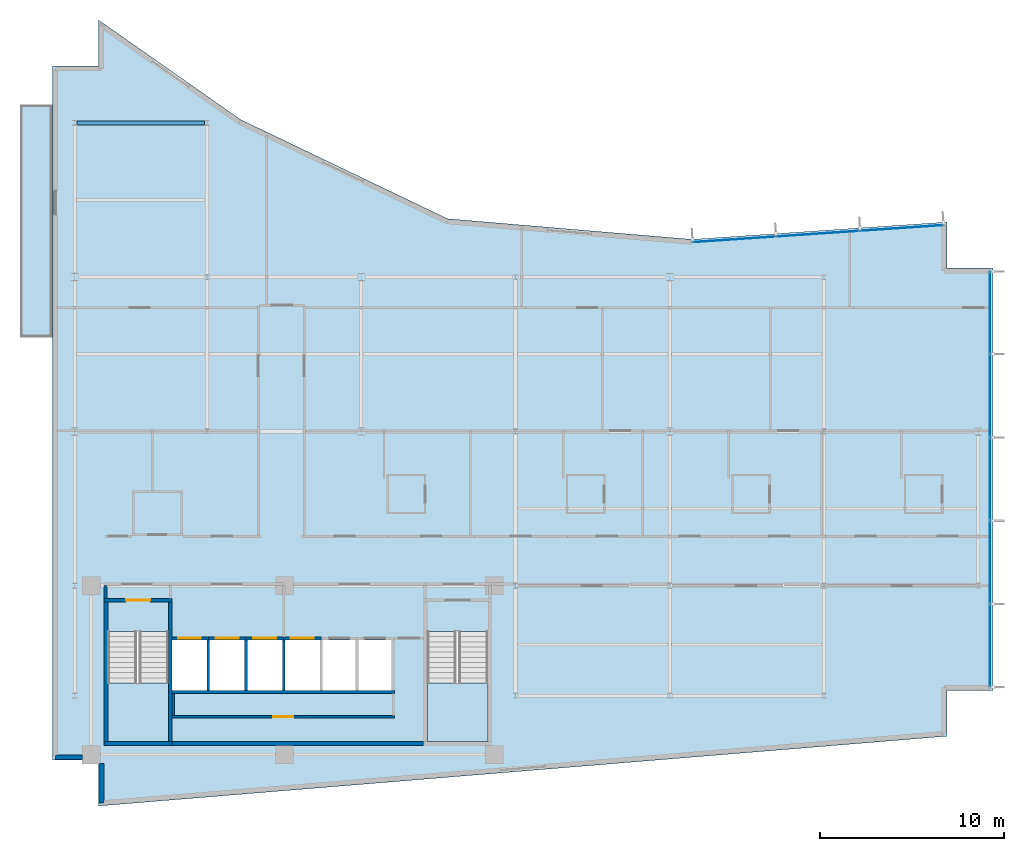
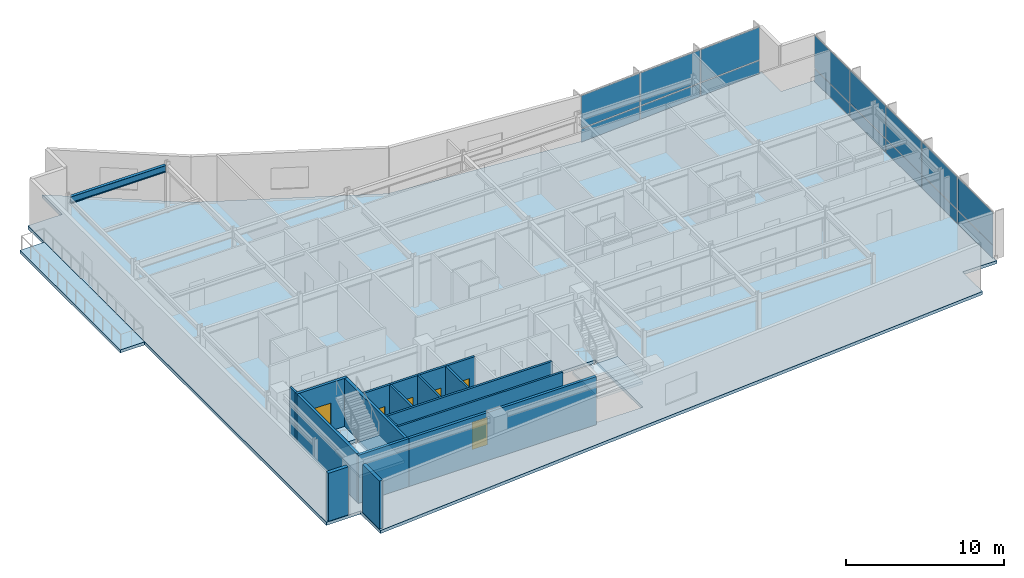
# One storey, part 10 of 17: 18 walls, 16 plates, 6 doors, 4 slabs, 1 beam, 6 openings, 4 elements without a shape of their own.
"""IFC4 building model written with IfcOpenShell, lengths in metres."""

from ifc_helpers import new_model, si_unit, direction, frame, frame_2d, origin, origin_2d, place, context, subcontext, project, spatial, polyline, rectangle, i_section, outline, extrude, material, layer, layer_set, material_profile, profile_set, type_object, element, fill, aggregate, save


model = new_model("IFC4")

# Units and contexts
model_context = context("Model", 3, precision=1e-05, world=origin(), true_north=direction((0.0, 1.0)))
body_context = subcontext(model_context, "Body", "Model", "MODEL_VIEW")
ifc_project = project(units=[si_unit("LENGTHUNIT", "METRE"), si_unit("AREAUNIT", "SQUARE_METRE"), si_unit("VOLUMEUNIT", "CUBIC_METRE"), si_unit("PLANEANGLEUNIT", "RADIAN"), si_unit("MASSUNIT", "GRAM", prefix="KILO")], contexts=[model_context])

# Site, building, storey
site_placement = place(None, origin())
site = spatial("IfcSite", under=ifc_project, at=site_placement, CompositionType="ELEMENT")
building_placement = place(site_placement, origin())
building = spatial("IfcBuilding", under=site, at=building_placement, Name="Varnakote Quay Hospital", CompositionType="ELEMENT")
storey_placement = place(building_placement, frame((0.0, 0.0, 203.949951171875)))
storey = spatial("IfcBuildingStorey", under=building, at=storey_placement, Name="L50", CompositionType="ELEMENT", Elevation=203.949951171875)

# Beam
ifc_material_1 = material(Name="Structural steel AS/NZS 3679.1 Grade 350 L0 (fy 340 MPa)", Category="steel")
ifc_material_profile = material_profile(ifc_material_1, i_section(OverallWidth=0.208984375, OverallDepth=0.532958984375, WebThickness=0.01025390625, FlangeThickness=0.015625, FilletRadius=0.013916015625, at=origin_2d()), Name="530UB92.4")
ifc_profile_set = profile_set([ifc_material_profile], Name="Structural steel AS/NZS 3679.1 Grade 350 L0 (fy 340 MPa)")
beam_type = type_object("IfcBeamType", Name="BM-STL-530UB92-4", PredefinedType="BEAM", material=ifc_profile_set)
beam_placement = place(storey_placement, frame((1.327880859375, 37.199951171875, 3.443603515625), z_axis=(1.0, 0.0, 0.0), x_axis=(0.0, 1.0, 0.0)))
element("IfcBeam", 1, at=beam_placement, inside=storey, type_object=beam_type, Name="L50 Primary Floor Beam", PredefinedType="BEAM", context=body_context, shape_type="SweptSolid", body=[
    extrude(i_section(OverallWidth=0.208984375, OverallDepth=0.532958984375, WebThickness=0.01025390625, FlangeThickness=0.015625, FilletRadius=0.013916015625, at=origin_2d()), origin(), (0.0, 0.0, 1.0), 6.944091796875),
])

# Curtain wall, plates
ifc_material_2 = material(Name="Anodised aluminium 6063-T6 Bronze", Category="aluminium")
ifc_layer_1 = layer(ifc_material_2, 0.219970703125)
ifc_layer_set_1 = layer_set([ifc_layer_1], Name="Anodised aluminium 6063-T6 Bronze")
curtain_wall_type = type_object("IfcCurtainWallType", Name="CW-SYS-4", PredefinedType="NOTDEFINED", material=ifc_layer_set_1)
curtain_wall_1_placement = place(storey_placement, origin())
curtain_wall_1 = element("IfcCurtainWall", 2, at=curtain_wall_1_placement, inside=storey, type_object=curtain_wall_type, Name="L50 Unitised Bronze Curtain Wall 1", PredefinedType="NOTDEFINED")
ifc_material_3 = material(Name="Double-glazed low-E solar glass", Category="glass")
ifc_layer_2 = layer(ifc_material_3, 0.028076171875)
ifc_layer_set_2 = layer_set([ifc_layer_2], Name="Double-glazed low-E solar glass")
plate_type = type_object("IfcPlateType", Name="CW-PNL-GLZ-28", PredefinedType="CURTAIN_PANEL", material=ifc_layer_set_2)
plate_1_placement = place(storey_placement, frame((51.0400390625, 8.744140625, 0.065185546875), z_axis=(0.0, 0.0, 1.0), x_axis=(0.0, 1.0, 0.0)))
plate_1 = element("IfcPlate", 3, at=plate_1_placement, type_object=plate_type, Name="-4-L50-1 panel 1.1", PredefinedType="CURTAIN_PANEL", context=body_context, shape_type="SweptSolid", body=[
    extrude(rectangle(XDim=4.4384765625, YDim=0.028076171875, at=origin_2d()), origin(), (0.0, 0.0, 1.0), 1.00244140625),
])
plate_2_placement = place(storey_placement, frame((51.0400390625, 8.744140625, 1.1328125), z_axis=(0.0, 0.0, 1.0), x_axis=(0.0, 1.0, 0.0)))
plate_2 = element("IfcPlate", 4, at=plate_2_placement, type_object=plate_type, Name="-4-L50-1 panel 1.2", PredefinedType="CURTAIN_PANEL", context=body_context, shape_type="SweptSolid", body=[
    extrude(rectangle(XDim=4.4384765625, YDim=0.028076171875, at=origin_2d()), origin(), (0.0, 0.0, 1.0), 2.512451171875),
])
plate_3_placement = place(storey_placement, frame((51.0400390625, 13.263916015625, 0.065185546875), z_axis=(0.0, 0.0, 1.0), x_axis=(0.0, 1.0, 0.0)))
plate_3 = element("IfcPlate", 5, at=plate_3_placement, type_object=plate_type, Name="-4-L50-1 panel 2.1", PredefinedType="CURTAIN_PANEL", context=body_context, shape_type="SweptSolid", body=[
    extrude(rectangle(XDim=4.470947265625, YDim=0.028076171875, at=origin_2d()), origin(), (0.0, 0.0, 1.0), 1.00244140625),
])
plate_4_placement = place(storey_placement, frame((51.0400390625, 13.263916015625, 1.1328125), z_axis=(0.0, 0.0, 1.0), x_axis=(0.0, 1.0, 0.0)))
plate_4 = element("IfcPlate", 6, at=plate_4_placement, type_object=plate_type, Name="-4-L50-1 panel 2.2", PredefinedType="CURTAIN_PANEL", context=body_context, shape_type="SweptSolid", body=[
    extrude(rectangle(XDim=4.470947265625, YDim=0.028076171875, at=origin_2d()), origin(), (0.0, 0.0, 1.0), 2.512451171875),
])
plate_5_placement = place(storey_placement, frame((51.0400390625, 17.800048828125, 0.065185546875), z_axis=(0.0, 0.0, 1.0), x_axis=(0.0, 1.0, 0.0)))
plate_5 = element("IfcPlate", 7, at=plate_5_placement, type_object=plate_type, Name="-4-L50-1 panel 3.1", PredefinedType="CURTAIN_PANEL", context=body_context, shape_type="SweptSolid", body=[
    extrude(rectangle(XDim=4.470947265625, YDim=0.028076171875, at=origin_2d()), origin(), (0.0, 0.0, 1.0), 1.00244140625),
])
plate_6_placement = place(storey_placement, frame((51.0400390625, 17.800048828125, 1.1328125), z_axis=(0.0, 0.0, 1.0), x_axis=(0.0, 1.0, 0.0)))
plate_6 = element("IfcPlate", 8, at=plate_6_placement, type_object=plate_type, Name="-4-L50-1 panel 3.2", PredefinedType="CURTAIN_PANEL", context=body_context, shape_type="SweptSolid", body=[
    extrude(rectangle(XDim=4.470947265625, YDim=0.028076171875, at=origin_2d()), origin(), (0.0, 0.0, 1.0), 2.512451171875),
])
plate_7_placement = place(storey_placement, frame((51.0400390625, 22.3359375, 0.065185546875), z_axis=(0.0, 0.0, 1.0), x_axis=(0.0, 1.0, 0.0)))
plate_7 = element("IfcPlate", 9, at=plate_7_placement, type_object=plate_type, Name="-4-L50-1 panel 4.1", PredefinedType="CURTAIN_PANEL", context=body_context, shape_type="SweptSolid", body=[
    extrude(rectangle(XDim=4.470947265625, YDim=0.028076171875, at=origin_2d()), origin(), (0.0, 0.0, 1.0), 1.00244140625),
])
plate_8_placement = place(storey_placement, frame((51.0400390625, 22.3359375, 1.1328125), z_axis=(0.0, 0.0, 1.0), x_axis=(0.0, 1.0, 0.0)))
plate_8 = element("IfcPlate", 10, at=plate_8_placement, type_object=plate_type, Name="-4-L50-1 panel 4.2", PredefinedType="CURTAIN_PANEL", context=body_context, shape_type="SweptSolid", body=[
    extrude(rectangle(XDim=4.470947265625, YDim=0.028076171875, at=origin_2d()), origin(), (0.0, 0.0, 1.0), 2.512451171875),
])
plate_9_placement = place(storey_placement, frame((51.0400390625, 26.855712890625, 0.065185546875), z_axis=(0.0, 0.0, 1.0), x_axis=(0.0, 1.0, 0.0)))
plate_9 = element("IfcPlate", 11, at=plate_9_placement, type_object=plate_type, Name="-4-L50-1 panel 5.1", PredefinedType="CURTAIN_PANEL", context=body_context, shape_type="SweptSolid", body=[
    extrude(rectangle(XDim=4.4384765625, YDim=0.028076171875, at=origin_2d()), origin(), (0.0, 0.0, 1.0), 1.00244140625),
])
plate_10_placement = place(storey_placement, frame((51.0400390625, 26.855712890625, 1.1328125), z_axis=(0.0, 0.0, 1.0), x_axis=(0.0, 1.0, 0.0)))
plate_10 = element("IfcPlate", 12, at=plate_10_placement, type_object=plate_type, Name="-4-L50-1 panel 5.2", PredefinedType="CURTAIN_PANEL", context=body_context, shape_type="SweptSolid", body=[
    extrude(rectangle(XDim=4.4384765625, YDim=0.028076171875, at=origin_2d()), origin(), (0.0, 0.0, 1.0), 2.512451171875),
])
aggregate(curtain_wall_1, [plate_1, plate_2, plate_3, plate_4, plate_5, plate_6, plate_7, plate_8, plate_9, plate_10])

curtain_wall_2_placement = place(storey_placement, origin())
curtain_wall_2 = element("IfcCurtainWall", 13, at=curtain_wall_2_placement, inside=storey, type_object=curtain_wall_type, Name="L50 Unitised Bronze Curtain Wall 2", PredefinedType="NOTDEFINED")
plate_11_placement = place(storey_placement, frame((46.236328125, 31.47216796875, 0.065185546875), z_axis=(0.0, 0.0, 1.0), x_axis=(-0.997696087615, -0.067841851077, 0.0)))
plate_11 = element("IfcPlate", 14, at=plate_11_placement, type_object=plate_type, Name="-4-L50-2 panel 1.1", PredefinedType="CURTAIN_PANEL", context=body_context, shape_type="SweptSolid", body=[
    extrude(rectangle(XDim=4.48828125, YDim=0.028076171875, at=origin_2d()), origin(), (0.0, 0.0, 1.0), 1.00244140625),
])
plate_12_placement = place(storey_placement, frame((46.236328125, 31.47216796875, 1.1328125), z_axis=(0.0, 0.0, 1.0), x_axis=(-0.997696087615, -0.067841851077, 0.0)))
plate_12 = element("IfcPlate", 15, at=plate_12_placement, type_object=plate_type, Name="-4-L50-2 panel 1.2", PredefinedType="CURTAIN_PANEL", context=body_context, shape_type="SweptSolid", body=[
    extrude(rectangle(XDim=4.48828125, YDim=0.028076171875, at=origin_2d()), origin(), (0.0, 0.0, 1.0), 2.512451171875),
])
plate_13_placement = place(storey_placement, frame((41.67724609375, 31.162109375, 0.065185546875), z_axis=(0.0, 0.0, 1.0), x_axis=(-0.997696087615, -0.067841851077, 0.0)))
plate_13 = element("IfcPlate", 16, at=plate_13_placement, type_object=plate_type, Name="-4-L50-2 panel 2.1", PredefinedType="CURTAIN_PANEL", context=body_context, shape_type="SweptSolid", body=[
    extrude(rectangle(XDim=4.520751953125, YDim=0.028076171875, at=origin_2d()), origin(), (0.0, 0.0, 1.0), 1.00244140625),
])
plate_14_placement = place(storey_placement, frame((41.67724609375, 31.162109375, 1.1328125), z_axis=(0.0, 0.0, 1.0), x_axis=(-0.997696087615, -0.067841851077, 0.0)))
plate_14 = element("IfcPlate", 17, at=plate_14_placement, type_object=plate_type, Name="-4-L50-2 panel 2.2", PredefinedType="CURTAIN_PANEL", context=body_context, shape_type="SweptSolid", body=[
    extrude(rectangle(XDim=4.520751953125, YDim=0.028076171875, at=origin_2d()), origin(), (0.0, 0.0, 1.0), 2.512451171875),
])
plate_15_placement = place(storey_placement, frame((37.118408203125, 30.85205078125, 0.065185546875), z_axis=(0.0, 0.0, 1.0), x_axis=(-0.997696087615, -0.067841851077, 0.0)))
plate_15 = element("IfcPlate", 18, at=plate_15_placement, type_object=plate_type, Name="-4-L50-2 panel 3.1", PredefinedType="CURTAIN_PANEL", context=body_context, shape_type="SweptSolid", body=[
    extrude(rectangle(XDim=4.48828125, YDim=0.028076171875, at=origin_2d()), origin(), (0.0, 0.0, 1.0), 1.00244140625),
])
plate_16_placement = place(storey_placement, frame((37.118408203125, 30.85205078125, 1.1328125), z_axis=(0.0, 0.0, 1.0), x_axis=(-0.997696087615, -0.067841851077, 0.0)))
plate_16 = element("IfcPlate", 19, at=plate_16_placement, type_object=plate_type, Name="-4-L50-2 panel 3.2", PredefinedType="CURTAIN_PANEL", context=body_context, shape_type="SweptSolid", body=[
    extrude(rectangle(XDim=4.48828125, YDim=0.028076171875, at=origin_2d()), origin(), (0.0, 0.0, 1.0), 2.512451171875),
])
aggregate(curtain_wall_2, [plate_11, plate_12, plate_13, plate_14, plate_15, plate_16])

# Stair, slab
ifc_material_4 = material(Name="Concrete N40 (f'c 40 MPa)", Category="concrete")
stair_type = type_object("IfcStairType", Name="STR-CORE-1580", PredefinedType="HALF_TURN_STAIR", material=ifc_material_4)
stair_1_placement = place(storey_placement, origin())
stair_1 = element("IfcStair", 20, at=stair_1_placement, inside=storey, type_object=stair_type, Name="L50 Fire-Isolated Exit Stair ST-01", PredefinedType="HALF_TURN_STAIR")
ifc_material_5 = material(Name="Concrete N40 (f'c 40 MPa)", Category="concrete")
ifc_layer_3 = layer(ifc_material_5, 0.199951171875)
ifc_layer_set_3 = layer_set([ifc_layer_3], Name="Concrete N40 (f'c 40 MPa)")
slab_type_1 = type_object("IfcSlabType", Name="SLB-STAIR-LND-200", PredefinedType="LANDING", material=ifc_layer_set_3)
slab_1_placement = place(storey_placement, frame((0.0, 0.0, 1.775146484375)))
slab_1 = element("IfcSlab", 21, at=slab_1_placement, type_object=slab_type_1, Name="ST-01 landing 1", PredefinedType="LANDING", context=body_context, shape_type="SweptSolid", body=[
    extrude(outline(polyline([(3.0, 6.699951171875), (3.0, 3.5), (6.300048828125, 3.5), (6.300048828125, 6.699951171875), (3.0, 6.699951171875)])), origin(), (0.0, 0.0, 1.0), 0.199951171875),
])
aggregate(stair_1, [slab_1])

stair_2_placement = place(storey_placement, origin())
stair_2 = element("IfcStair", 22, at=stair_2_placement, inside=storey, type_object=stair_type, Name="L50 Fire-Isolated Exit Stair ST-02", PredefinedType="HALF_TURN_STAIR")
slab_2_placement = place(storey_placement, frame((0.0, 0.0, 1.775146484375)))
slab_2 = element("IfcSlab", 23, at=slab_2_placement, type_object=slab_type_1, Name="ST-02 landing 1", PredefinedType="LANDING", context=body_context, shape_type="SweptSolid", body=[
    extrude(outline(polyline([(20.39990234375, 6.699951171875), (20.39990234375, 3.5), (23.699951171875, 3.5), (23.699951171875, 6.699951171875), (20.39990234375, 6.699951171875)])), origin(), (0.0, 0.0, 1.0), 0.199951171875),
])
aggregate(stair_2, [slab_2])

# Slabs
ifc_material_6 = material(Name="Concrete N50 (f'c 50 MPa)", Category="concrete")
ifc_layer_4 = layer(ifc_material_6, 0.239990234375)
ifc_layer_set_4 = layer_set([ifc_layer_4], Name="Concrete N50 (f'c 50 MPa)")
slab_type_2 = type_object("IfcSlabType", Name="SLB-TERR-200", PredefinedType="FLOOR", material=ifc_layer_set_4)
slab_3_placement = place(storey_placement, frame((0.0, 0.0, -0.239990234375)))
element("IfcSlab", 24, at=slab_3_placement, inside=storey, type_object=slab_type_2, Name="L50 Waterfront Healing Terrace Slab", PredefinedType="FLOOR", context=body_context, shape_type="SweptSolid", body=[
    extrude(outline(polyline([(0.00390625, 25.5), (0.00390625, 38.199951171875), (-1.780029296875, 38.199951171875), (-1.780029296875, 25.5), (0.00390625, 25.5)])), origin(), (0.0, 0.0, 1.0), 0.239990234375),
])
ifc_material_7 = material(Name="Concrete N50 (f'c 50 MPa)", Category="concrete")
ifc_layer_5 = layer(ifc_material_7, 0.239990234375)
ifc_layer_set_5 = layer_set([ifc_layer_5], Name="Concrete N50 (f'c 50 MPa)")
slab_type_3 = type_object("IfcSlabType", Name="SLB-WARD-200", PredefinedType="FLOOR", material=ifc_layer_set_5)
slab_4_placement = place(storey_placement, frame((0.0, 0.0, -0.239990234375)))
element("IfcSlab", 25, at=slab_4_placement, inside=storey, type_object=slab_type_3, Name="L50 Primary Floor Slab", PredefinedType="FLOOR", context=body_context, shape_type="SweptSolid", body=[
    extrude(outline(polyline([(0.0, 2.5), (2.5, 2.5), (2.5, 0.0), (48.699951171875, 3.800048828125), (48.699951171875, 6.300048828125), (51.199951171875, 6.300048828125), (51.199951171875, 29.300048828125), (48.699951171875, 29.300048828125), (48.699951171875, 31.800048828125), (34.81591796875, 30.85595703125), (21.50390625, 31.97998046875), (10.239990234375, 37.3759765625), (2.5, 42.800048828125), (2.5, 40.300048828125), (0.0, 40.300048828125), (0.0, 2.5)]), holes=[polyline([(3.0, 3.5), (6.300048828125, 3.5), (6.300048828125, 9.49951171875), (3.0, 9.49951171875), (3.0, 3.5)]), polyline([(20.39990234375, 3.5), (23.699951171875, 3.5), (23.699951171875, 9.49951171875), (20.39990234375, 9.49951171875), (20.39990234375, 3.5)]), polyline([(6.5, 6.300048828125), (8.39990234375, 6.300048828125), (8.39990234375, 9.050048828125), (6.5, 9.050048828125), (6.5, 6.300048828125)]), polyline([(8.550048828125, 6.300048828125), (10.449951171875, 6.300048828125), (10.449951171875, 9.050048828125), (8.550048828125, 9.050048828125), (8.550048828125, 6.300048828125)]), polyline([(10.60009765625, 6.300048828125), (12.5, 6.300048828125), (12.5, 9.050048828125), (10.60009765625, 9.050048828125), (10.60009765625, 6.300048828125)]), polyline([(12.64990234375, 6.300048828125), (14.550048828125, 6.300048828125), (14.550048828125, 9.050048828125), (12.64990234375, 9.050048828125), (12.64990234375, 6.300048828125)]), polyline([(14.699951171875, 6.300048828125), (16.5, 6.300048828125), (16.5, 9.050048828125), (14.699951171875, 9.050048828125), (14.699951171875, 6.300048828125)]), polyline([(16.64990234375, 6.300048828125), (18.449951171875, 6.300048828125), (18.449951171875, 9.050048828125), (16.64990234375, 9.050048828125), (16.64990234375, 6.300048828125)])]), origin(), (0.0, 0.0, 1.0), 0.239990234375),
])

# Walls
ifc_material_8 = material(Name="Fire-rated acoustic gypsum stud wall", Category="gypsum")
ifc_layer_6 = layer(ifc_material_8, 0.159912109375)
ifc_layer_set_6 = layer_set([ifc_layer_6], Name="Fire-rated acoustic gypsum stud wall")
wall_type_1 = type_object("IfcWallType", Name="WL-COMP-160", PredefinedType="PARTITIONING", material=ifc_layer_set_6)
wall_1_placement = place(storey_placement, frame((2.8798828125, 11.300048828125, 0.0), z_axis=(0.0, 0.0, 1.0), x_axis=(0.0, 1.0, 0.0)))
element("IfcWall", 26, at=wall_1_placement, inside=storey, type_object=wall_type_1, Name="L50 West Stair Vestibule West Wall", PredefinedType="PARTITIONING", context=body_context, shape_type="SweptSolid", body=[
    extrude(rectangle(XDim=0.699951171875, YDim=0.159912109375, at=frame_2d((0.35009765625, 0.0))), origin(), (0.0, 0.0, 1.0), 3.7099609375),
])
ifc_material_9 = material(Name="Concrete N50 (f'c 50 MPa)", Category="concrete")
ifc_layer_7 = layer(ifc_material_9, 0.199951171875)
ifc_layer_set_7 = layer_set([ifc_layer_7], Name="Concrete N50 (f'c 50 MPa)")
wall_type_2 = type_object("IfcWallType", Name="WL-CORE-N50-200", PredefinedType="SHEAR", material=ifc_layer_set_7)
wall_2_placement = place(storey_placement, frame((6.5, 3.39990234375, 0.0), z_axis=(0.0, 0.0, 1.0), x_axis=(1.0, 0.0, 0.0)))
element("IfcWall", 27, at=wall_2_placement, inside=storey, type_object=wall_type_2, Name="L50 Rear Core South Shear Wall", PredefinedType="SHEAR", context=body_context, shape_type="SweptSolid", body=[
    extrude(rectangle(XDim=13.699951171875, YDim=0.199951171875, at=frame_2d((6.85009765625, 0.0))), origin(), (0.0, 0.0, 1.0), 3.7099609375),
])
ifc_material_10 = material(Name="Precast concrete N50 (f'c 50 MPa)", Category="concrete")
ifc_layer_8 = layer(ifc_material_10, 0.260009765625)
ifc_layer_set_8 = layer_set([ifc_layer_8], Name="Precast concrete N50 (f'c 50 MPa)")
wall_type_3 = type_object("IfcWallType", Name="WL-EXT-BRICK-260", PredefinedType="STANDARD", material=ifc_layer_set_8)
wall_3_placement = place(storey_placement, frame((2.659912109375, 2.31494140625, 0.0), z_axis=(0.0, 0.0, 1.0), x_axis=(0.0, -1.0, 0.0)))
element("IfcWall", 28, at=wall_3_placement, inside=storey, type_object=wall_type_3, Name="L50 Brick-Faced Precast Exterior Wall", PredefinedType="STANDARD", context=body_context, shape_type="SweptSolid", body=[
    extrude(rectangle(XDim=2.141357421875, YDim=0.260009765625, at=frame_2d((1.07080078125, 0.0))), origin(), (0.0, 0.0, 1.0), 3.7099609375),
])
wall_4_placement = place(storey_placement, frame((0.159912109375, 2.659912109375, 0.0), z_axis=(0.0, 0.0, 1.0), x_axis=(1.0, 0.0, 0.0)))
element("IfcWall", 29, at=wall_4_placement, inside=storey, type_object=wall_type_3, Name="L50 Brick-Faced Precast Exterior Wall", PredefinedType="STANDARD", context=body_context, shape_type="SweptSolid", body=[
    extrude(rectangle(XDim=1.455078125, YDim=0.260009765625, at=frame_2d((0.7275390625, 0.0))), origin(), (0.0, 0.0, 1.0), 3.7099609375),
])
ifc_material_11 = material(Name="Concrete N50 (f'c 50 MPa)", Category="concrete")
ifc_layer_9 = layer(ifc_material_11, 0.14990234375)
ifc_layer_set_9 = layer_set([ifc_layer_9], Name="Concrete N50 (f'c 50 MPa)")
wall_type_4 = type_object("IfcWallType", Name="WL-SHAFT-N50-150", PredefinedType="SHEAR", material=ifc_layer_set_9)
for number, where, z_axis, x_axis, name in (
    (30, (8.47509765625, 6.300048828125, 0.0), (0.0, 0.0, 1.0), (0.0, 1.0, 0.0), "L50 LF-FF1 Hoistway Divider Wall"),
    (31, (10.52490234375, 6.300048828125, 0.0), (0.0, 0.0, 1.0), (0.0, 1.0, 0.0), "L50 LF-FF2 Hoistway Divider Wall"),
    (32, (12.574951171875, 6.300048828125, 0.0), (0.0, 0.0, 1.0), (0.0, 1.0, 0.0), "L50 LF-SV1 Hoistway Divider Wall"),
):
    element("IfcWall", number, at=place(storey_placement, frame(where, z_axis=z_axis, x_axis=x_axis)), inside=storey, type_object=wall_type_4, Name=name, PredefinedType="SHEAR", context=body_context, shape_type="SweptSolid", body=[
        extrude(rectangle(XDim=2.75, YDim=0.14990234375, at=frame_2d((1.375, 0.0))), origin(), (0.0, 0.0, 1.0), 3.7099609375),
    ])
ifc_material_12 = material(Name="Concrete N50 (f'c 50 MPa)", Category="concrete")
ifc_layer_10 = layer(ifc_material_12, 0.159912109375)
ifc_layer_set_10 = layer_set([ifc_layer_10], Name="Concrete N50 (f'c 50 MPa)")
wall_type_5 = type_object("IfcWallType", Name="WL-SHAFT-N50-160", PredefinedType="SHEAR", material=ifc_layer_set_10)
wall_5_placement = place(storey_placement, frame((6.5, 6.219970703125, 0.0), z_axis=(0.0, 0.0, 1.0), x_axis=(1.0, 0.0, 0.0)))
element("IfcWall", 33, at=wall_5_placement, inside=storey, type_object=wall_type_5, Name="L50 REAR Lift Bank Back Shear Wall", PredefinedType="SHEAR", context=body_context, shape_type="SweptSolid", body=[
    extrude(rectangle(XDim=12.110107421875, YDim=0.159912109375, at=frame_2d((6.05517578125, 0.0))), origin(), (0.0, 0.0, 1.0), 3.7099609375),
])

# Wall, opening, door
wall_6_placement = place(storey_placement, frame((6.5, 9.1298828125, 0.0), z_axis=(0.0, 0.0, 1.0), x_axis=(1.0, 0.0, 0.0)))
wall_6 = element("IfcWall", 34, at=wall_6_placement, inside=storey, type_object=wall_type_5, Name="L50 LF-FF1 Hoistway Front Wall", PredefinedType="SHEAR", context=body_context, shape_type="SweptSolid", body=[
    extrude(rectangle(XDim=1.97509765625, YDim=0.159912109375, at=frame_2d((0.987548828125, 0.0))), origin(), (0.0, 0.0, 1.0), 3.7099609375),
])
opening_1_placement = place(wall_6_placement, frame((0.324951171875, 0.0, 0.0)))
opening_1 = element("IfcOpeningElement", 35, at=opening_1_placement, cuts=wall_6, Name="Opening LD-FF1-L50", PredefinedType="OPENING", context=body_context, shape_type="SweptSolid", body=[
    extrude(rectangle(XDim=1.25, YDim=2.14990234375, at=frame_2d((0.625, 1.074951171875))), frame((0.0, 0.08984375, 0.0), z_axis=(0.0, -1.0, 0.0), x_axis=(1.0, 0.0, 0.0)), (0.0, 0.0, 1.0), 0.179931640625),
])
ifc_material_13 = material(Name="Stainless steel lift landing sliding door", Category="steel")
door_type_1 = type_object("IfcDoorType", Name="DR-LIFT-LD-1250x2150", OperationType="NOTDEFINED", PredefinedType="DOOR", material=ifc_material_13)
door_1_placement = place(opening_1_placement, origin())
door_1 = element("IfcDoor", 36, at=door_1_placement, inside=storey, type_object=door_type_1, Name="L50 LF-FF1 Lift Landing Sliding Door", OperationType="SLIDING_TO_LEFT", OverallHeight=2.14990234375, OverallWidth=1.25, PredefinedType="DOOR", context=body_context, shape_type="SweptSolid", body=[
    extrude(rectangle(XDim=1.25, YDim=2.14990234375, at=frame_2d((0.625, 1.074951171875))), frame((0.0, 0.02490234375, 0.0), z_axis=(0.0, -1.0, 0.0), x_axis=(1.0, 0.0, 0.0)), (0.0, 0.0, 1.0), 0.050048828125),
])
fill(opening_1, door_1)

wall_7_placement = place(storey_placement, frame((8.47509765625, 9.1298828125, 0.0), z_axis=(0.0, 0.0, 1.0), x_axis=(1.0, 0.0, 0.0)))
wall_7 = element("IfcWall", 37, at=wall_7_placement, inside=storey, type_object=wall_type_5, Name="L50 LF-FF2 Hoistway Front Wall", PredefinedType="SHEAR", context=body_context, shape_type="SweptSolid", body=[
    extrude(rectangle(XDim=2.0498046875, YDim=0.159912109375, at=frame_2d((1.02490234375, 0.0))), origin(), (0.0, 0.0, 1.0), 3.7099609375),
])
opening_2_placement = place(wall_7_placement, frame((0.39990234375, 0.0, 0.0)))
opening_2 = element("IfcOpeningElement", 38, at=opening_2_placement, cuts=wall_7, Name="Opening LD-FF2-L50", PredefinedType="OPENING", context=body_context, shape_type="SweptSolid", body=[
    extrude(rectangle(XDim=1.25, YDim=2.14990234375, at=frame_2d((0.625, 1.074951171875))), frame((0.0, 0.08984375, 0.0), z_axis=(0.0, -1.0, 0.0), x_axis=(1.0, 0.0, 0.0)), (0.0, 0.0, 1.0), 0.179931640625),
])
door_2_placement = place(opening_2_placement, origin())
door_2 = element("IfcDoor", 39, at=door_2_placement, inside=storey, type_object=door_type_1, Name="L50 LF-FF2 Lift Landing Sliding Door", OperationType="SLIDING_TO_LEFT", OverallHeight=2.14990234375, OverallWidth=1.25, PredefinedType="DOOR", context=body_context, shape_type="SweptSolid", body=[
    extrude(rectangle(XDim=1.25, YDim=2.14990234375, at=frame_2d((0.625, 1.074951171875))), frame((0.0, 0.02490234375, 0.0), z_axis=(0.0, -1.0, 0.0), x_axis=(1.0, 0.0, 0.0)), (0.0, 0.0, 1.0), 0.050048828125),
])
fill(opening_2, door_2)

wall_8_placement = place(storey_placement, frame((10.52490234375, 9.1298828125, 0.0), z_axis=(0.0, 0.0, 1.0), x_axis=(1.0, 0.0, 0.0)))
wall_8 = element("IfcWall", 40, at=wall_8_placement, inside=storey, type_object=wall_type_5, Name="L50 LF-SV1 Hoistway Front Wall", PredefinedType="SHEAR", context=body_context, shape_type="SweptSolid", body=[
    extrude(rectangle(XDim=2.050048828125, YDim=0.159912109375, at=frame_2d((1.02490234375, 0.0))), origin(), (0.0, 0.0, 1.0), 3.7099609375),
])
opening_3_placement = place(wall_8_placement, frame((0.39990234375, 0.0, 0.0)))
opening_3 = element("IfcOpeningElement", 41, at=opening_3_placement, cuts=wall_8, Name="Opening LD-SV1-L50", PredefinedType="OPENING", context=body_context, shape_type="SweptSolid", body=[
    extrude(rectangle(XDim=1.25, YDim=2.14990234375, at=frame_2d((0.625, 1.074951171875))), frame((0.0, 0.08984375, 0.0), z_axis=(0.0, -1.0, 0.0), x_axis=(1.0, 0.0, 0.0)), (0.0, 0.0, 1.0), 0.179931640625),
])
door_3_placement = place(opening_3_placement, origin())
door_3 = element("IfcDoor", 42, at=door_3_placement, inside=storey, type_object=door_type_1, Name="L50 LF-SV1 Lift Landing Sliding Door", OperationType="SLIDING_TO_LEFT", OverallHeight=2.14990234375, OverallWidth=1.25, PredefinedType="DOOR", context=body_context, shape_type="SweptSolid", body=[
    extrude(rectangle(XDim=1.25, YDim=2.14990234375, at=frame_2d((0.625, 1.074951171875))), frame((0.0, 0.02490234375, 0.0), z_axis=(0.0, -1.0, 0.0), x_axis=(1.0, 0.0, 0.0)), (0.0, 0.0, 1.0), 0.050048828125),
])
fill(opening_3, door_3)

wall_9_placement = place(storey_placement, frame((12.574951171875, 9.1298828125, 0.0), z_axis=(0.0, 0.0, 1.0), x_axis=(1.0, 0.0, 0.0)))
wall_9 = element("IfcWall", 43, at=wall_9_placement, inside=storey, type_object=wall_type_5, Name="L50 LF-SV2 Hoistway Front Wall", PredefinedType="SHEAR", context=body_context, shape_type="SweptSolid", body=[
    extrude(rectangle(XDim=2.050048828125, YDim=0.159912109375, at=frame_2d((1.02490234375, 0.0))), origin(), (0.0, 0.0, 1.0), 3.7099609375),
])
opening_4_placement = place(wall_9_placement, frame((0.39990234375, 0.0, 0.0)))
opening_4 = element("IfcOpeningElement", 44, at=opening_4_placement, cuts=wall_9, Name="Opening LD-SV2-L50", PredefinedType="OPENING", context=body_context, shape_type="SweptSolid", body=[
    extrude(rectangle(XDim=1.25, YDim=2.14990234375, at=frame_2d((0.625, 1.074951171875))), frame((0.0, 0.08984375, 0.0), z_axis=(0.0, -1.0, 0.0), x_axis=(1.0, 0.0, 0.0)), (0.0, 0.0, 1.0), 0.179931640625),
])
door_4_placement = place(opening_4_placement, origin())
door_4 = element("IfcDoor", 45, at=door_4_placement, inside=storey, type_object=door_type_1, Name="L50 LF-SV2 Lift Landing Sliding Door", OperationType="SLIDING_TO_LEFT", OverallHeight=2.14990234375, OverallWidth=1.25, PredefinedType="DOOR", context=body_context, shape_type="SweptSolid", body=[
    extrude(rectangle(XDim=1.25, YDim=2.14990234375, at=frame_2d((0.625, 1.074951171875))), frame((0.0, 0.02490234375, 0.0), z_axis=(0.0, -1.0, 0.0), x_axis=(1.0, 0.0, 0.0)), (0.0, 0.0, 1.0), 0.050048828125),
])
fill(opening_4, door_4)

# Walls
ifc_material_14 = material(Name="Concrete N50 (f'c 50 MPa)", Category="concrete")
ifc_layer_11 = layer(ifc_material_14, 0.199951171875)
ifc_layer_set_11 = layer_set([ifc_layer_11], Name="Concrete N50 (f'c 50 MPa)")
wall_type_6 = type_object("IfcWallType", Name="WL-SHAFT-N50-200", PredefinedType="SHEAR", material=ifc_layer_set_11)
wall_10_placement = place(storey_placement, frame((2.800048828125, 3.39990234375, 0.0), z_axis=(0.0, 0.0, 1.0), x_axis=(1.0, 0.0, 0.0)))
element("IfcWall", 46, at=wall_10_placement, inside=storey, type_object=wall_type_6, Name="L50 Stair ST1 South Shaft Wall", PredefinedType="SHEAR", context=body_context, shape_type="SweptSolid", body=[
    extrude(rectangle(XDim=3.699951171875, YDim=0.199951171875, at=frame_2d((1.85009765625, 0.0))), origin(), (0.0, 0.0, 1.0), 3.7099609375),
])
for number, where, z_axis, x_axis, name in (
    (47, (2.89990234375, 3.5, 0.0), (0.0, 0.0, 1.0), (0.0, 1.0, 0.0), "L50 Stair ST1 West Shaft Wall"),
    (48, (6.39990234375, 3.5, 0.0), (0.0, 0.0, 1.0), (0.0, 1.0, 0.0), "L50 Stair ST1 East Shaft Wall"),
):
    element("IfcWall", number, at=place(storey_placement, frame(where, z_axis=z_axis, x_axis=x_axis)), inside=storey, type_object=wall_type_6, Name=name, PredefinedType="SHEAR", context=body_context, shape_type="SweptSolid", body=[
        extrude(rectangle(XDim=7.60009765625, YDim=0.199951171875, at=frame_2d((3.800048828125, 0.0))), origin(), (0.0, 0.0, 1.0), 3.7099609375),
    ])

# Wall, opening, door
wall_11_placement = place(storey_placement, frame((2.800048828125, 11.199951171875, 0.0), z_axis=(0.0, 0.0, 1.0), x_axis=(1.0, 0.0, 0.0)))
wall_11 = element("IfcWall", 49, at=wall_11_placement, inside=storey, type_object=wall_type_6, Name="L50 Stair ST1 Exit Wall", PredefinedType="SHEAR", context=body_context, shape_type="SweptSolid", body=[
    extrude(rectangle(XDim=3.699951171875, YDim=0.199951171875, at=frame_2d((1.85009765625, 0.0))), origin(), (0.0, 0.0, 1.0), 3.7099609375),
])
opening_5_placement = place(wall_11_placement, frame((1.199951171875, 0.0, 0.0)))
opening_5 = element("IfcOpeningElement", 50, at=opening_5_placement, cuts=wall_11, Name="Opening D-ST1-L50", PredefinedType="OPENING", context=body_context, shape_type="SweptSolid", body=[
    extrude(rectangle(XDim=1.300048828125, YDim=2.14990234375, at=frame_2d((0.64990234375, 1.074951171875))), frame((0.0, 0.10986328125, 0.0), z_axis=(0.0, -1.0, 0.0), x_axis=(1.0, 0.0, 0.0)), (0.0, 0.0, 1.0), 0.219970703125),
])
ifc_material_15 = material(Name="Fire-rated ceramic-glazed timber exit door", Category="wood")
door_type_2 = type_object("IfcDoorType", Name="DR-STAIR-FD60S-1300x2150", OperationType="NOTDEFINED", PredefinedType="DOOR", material=ifc_material_15)
door_5_placement = place(opening_5_placement, origin())
door_5 = element("IfcDoor", 51, at=door_5_placement, inside=storey, type_object=door_type_2, Name="L50 Stair ST1 Fire Exit Door", OperationType="SINGLE_SWING_RIGHT", OverallHeight=2.14990234375, OverallWidth=1.300048828125, PredefinedType="DOOR", context=body_context, shape_type="SweptSolid", body=[
    extrude(rectangle(XDim=1.300048828125, YDim=2.14990234375, at=frame_2d((0.64990234375, 1.074951171875))), frame((0.0, 0.02490234375, 0.0), z_axis=(0.0, -1.0, 0.0), x_axis=(1.0, 0.0, 0.0)), (0.0, 0.0, 1.0), 0.050048828125),
])
fill(opening_5, door_5)

# Wall
ifc_material_16 = material(Name="Smoke-proof clinical partition", Category="gypsum")
ifc_layer_12 = layer(ifc_material_16, 0.1201171875)
ifc_layer_set_12 = layer_set([ifc_layer_12], Name="Smoke-proof clinical partition")
wall_type_7 = type_object("IfcWallType", Name="WL-SMOKE-120", PredefinedType="PARTITIONING", material=ifc_layer_set_12)
wall_12_placement = place(storey_placement, frame((6.56005859375, 4.919921875, 0.0), z_axis=(0.0, 0.0, 1.0), x_axis=(0.0, 1.0, 0.0)))
element("IfcWall", 52, at=wall_12_placement, inside=storey, type_object=wall_type_7, Name="L50 Core Service Strip West Wall", PredefinedType="PARTITIONING", context=body_context, shape_type="SweptSolid", body=[
    extrude(rectangle(XDim=1.219970703125, YDim=0.1201171875, at=frame_2d((0.60986328125, 0.0))), origin(), (0.0, 0.0, 1.0), 3.7099609375),
])

# Wall, opening, door
ifc_material_17 = material(Name="Fire-rated clinical gypsum partition", Category="gypsum")
ifc_layer_13 = layer(ifc_material_17, 0.139892578125)
ifc_layer_set_13 = layer_set([ifc_layer_13], Name="Fire-rated clinical gypsum partition")
wall_type_8 = type_object("IfcWallType", Name="WL-WARD-140", PredefinedType="PARTITIONING", material=ifc_layer_set_13)
wall_13_placement = place(storey_placement, frame((6.5, 4.85009765625, 0.0), z_axis=(0.0, 0.0, 1.0), x_axis=(1.0, 0.0, 0.0)))
wall_13 = element("IfcWall", 53, at=wall_13_placement, inside=storey, type_object=wall_type_8, Name="L50 Core Clean Linen Store South Wall", PredefinedType="PARTITIONING", context=body_context, shape_type="SweptSolid", body=[
    extrude(rectangle(XDim=12.10009765625, YDim=0.139892578125, at=frame_2d((6.050048828125, 0.0))), origin(), (0.0, 0.0, 1.0), 3.7099609375),
])
opening_6_placement = place(wall_13_placement, frame((5.5, 0.0, 0.0)))
opening_6 = element("IfcOpeningElement", 54, at=opening_6_placement, cuts=wall_13, Name="Opening D-L50-CR01", PredefinedType="OPENING", context=body_context, shape_type="SweptSolid", body=[
    extrude(rectangle(XDim=1.10009765625, YDim=2.10009765625, at=frame_2d((0.550048828125, 1.050048828125))), frame((0.0, 0.079833984375, 0.0), z_axis=(0.0, -1.0, 0.0), x_axis=(1.0, 0.0, 0.0)), (0.0, 0.0, 1.0), 0.159912109375),
])
ifc_material_18 = material(Name="Acoustic timber clinical consult door", Category="wood")
door_type_3 = type_object("IfcDoorType", Name="DR-CLIN-FD30S-1100x2100", OperationType="NOTDEFINED", PredefinedType="DOOR", material=ifc_material_18)
door_6_placement = place(opening_6_placement, origin())
door_6 = element("IfcDoor", 55, at=door_6_placement, inside=storey, type_object=door_type_3, Name="L50 Core Clean Linen Store Door", OperationType="SINGLE_SWING_RIGHT", OverallHeight=2.10009765625, OverallWidth=1.10009765625, PredefinedType="DOOR", context=body_context, shape_type="SweptSolid", body=[
    extrude(rectangle(XDim=1.10009765625, YDim=2.10009765625, at=frame_2d((0.550048828125, 1.050048828125))), frame((0.0, 0.02490234375, 0.0), z_axis=(0.0, -1.0, 0.0), x_axis=(1.0, 0.0, 0.0)), (0.0, 0.0, 1.0), 0.050048828125),
])
fill(opening_6, door_6)

save(model, "model.ifc")
